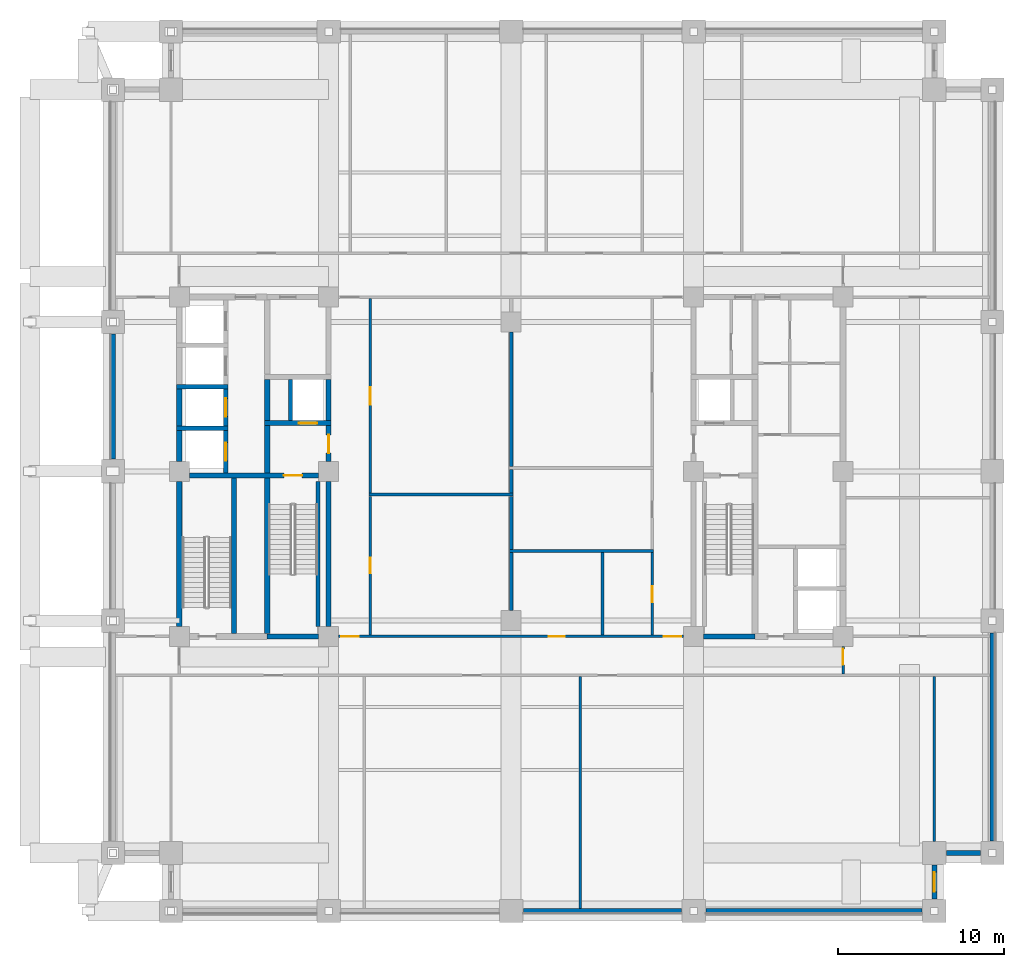
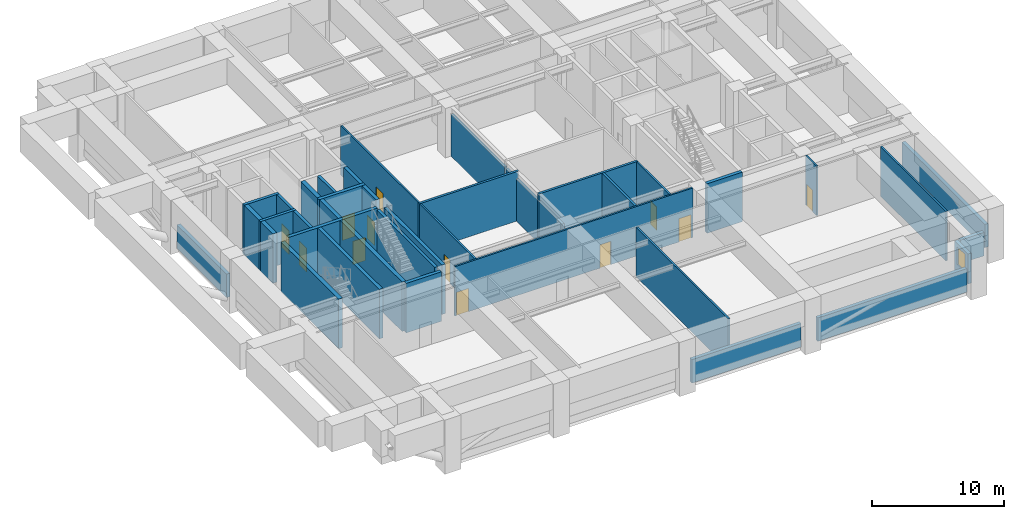
# One storey, part 3 of 11: 40 walls, 12 doors, 1 window, 13 openings.
"""IFC4 building model written with IfcOpenShell, lengths in metres."""

from ifc_helpers import new_model, si_unit, direction, frame, frame_2d, origin, place, context, subcontext, project, spatial, rectangle, extrude, material, layer, layer_set, type_object, element, fill, save


model = new_model("IFC4")

# Units and contexts
model_context = context("Model", 3, precision=1e-05, world=origin(), true_north=direction((0.0, 1.0)))
body_context = subcontext(model_context, "Body", "Model", "MODEL_VIEW")
ifc_project = project(units=[si_unit("LENGTHUNIT", "METRE"), si_unit("AREAUNIT", "SQUARE_METRE"), si_unit("VOLUMEUNIT", "CUBIC_METRE"), si_unit("PLANEANGLEUNIT", "RADIAN"), si_unit("MASSUNIT", "GRAM", prefix="KILO")], contexts=[model_context])

# Site, building, storey
site_placement = place(None, origin())
site = spatial("IfcSite", under=ifc_project, at=site_placement, CompositionType="ELEMENT")
building_placement = place(site_placement, origin())
building = spatial("IfcBuilding", under=site, at=building_placement, Name="Zulmaris Gate Convention Tower", CompositionType="ELEMENT")
storey_placement = place(building_placement, frame((0.0, 0.0, 52.18994140625)))
storey = spatial("IfcBuildingStorey", under=building, at=storey_placement, Name="L12", CompositionType="ELEMENT", Elevation=52.18994140625)

# Walls
ifc_material_1 = material(Name="Concrete C50/60", Category="concrete")
ifc_layer_1 = layer(ifc_material_1, 0.25, Name="Concrete C50/60")
ifc_layer_set_1 = layer_set([ifc_layer_1], Name="Concrete C50/60")
wall_type_1 = type_object("IfcWallType", Name="CORE-250", PredefinedType="SOLIDWALL", material=ifc_layer_set_1)
for number, where, z_axis, x_axis, name in (
    (1, (-20.175048828125, 2.60009765625, 0.0), (0.0, 0.0, 1.0), (1.0, 0.0, 0.0), "WL-L12-009"),
    (2, (-20.175048828125, 5.10009765625, 0.0), (0.0, 0.0, 1.0), (1.0, 0.0, 0.0), "WL-L12-012"),
):
    element("IfcWall", number, at=place(storey_placement, frame(where, z_axis=z_axis, x_axis=x_axis)), inside=storey, type_object=wall_type_1, Name=name, PredefinedType="SOLIDWALL", context=body_context, shape_type="SweptSolid", body=[
        extrude(rectangle(XDim=3.10009765625, YDim=0.25, at=frame_2d((1.550048828125, 0.0))), origin(), (0.0, 0.0, 1.0), 4.574951171875),
    ])

# Wall, opening, door
wall_1_placement = place(storey_placement, frame((-17.199951171875, -0.097900390625, 0.0), z_axis=(0.0, 0.0, 1.0), x_axis=(0.0, 1.0, 0.0)))
wall_1 = element("IfcWall", 3, at=wall_1_placement, inside=storey, type_object=wall_type_1, Name="WL-L12-040", PredefinedType="SOLIDWALL", context=body_context, shape_type="SweptSolid", body=[
    extrude(rectangle(XDim=2.57080078125, YDim=0.25, at=frame_2d((1.285400390625, 0.0))), origin(), (0.0, 0.0, 1.0), 4.574951171875),
])
opening_1_placement = place(wall_1_placement, frame((0.722900390625, 0.0, 0.0)))
opening_1 = element("IfcOpeningElement", 4, at=opening_1_placement, cuts=wall_1, Name="Opening D-06", PredefinedType="OPENING", context=body_context, shape_type="SweptSolid", body=[
    extrude(rectangle(XDim=1.10009765625, YDim=2.199951171875, at=frame_2d((0.550048828125, 1.10009765625))), frame((0.0, 0.135009765625, 0.0), z_axis=(0.0, -1.0, 0.0), x_axis=(1.0, 0.0, 0.0)), (0.0, 0.0, 1.0), 0.27001953125),
])
ifc_material_2 = material(Name="Brushed Stainless Steel", Category="steel")
door_type_1 = type_object("IfcDoorType", Name="LD-1100", OperationType="NOTDEFINED", PredefinedType="DOOR", material=ifc_material_2)
door_1_placement = place(opening_1_placement, origin())
door_1 = element("IfcDoor", 5, at=door_1_placement, inside=storey, type_object=door_type_1, Name="L12 Lift Landing Door LP-01 12", OperationType="SLIDING_TO_LEFT", OverallHeight=2.199951171875, OverallWidth=1.10009765625, PredefinedType="DOOR", context=body_context, shape_type="SweptSolid", body=[
    extrude(rectangle(XDim=1.10009765625, YDim=2.199951171875, at=frame_2d((0.550048828125, 1.10009765625))), frame((0.0, 0.02490234375, 0.0), z_axis=(0.0, -1.0, 0.0), x_axis=(1.0, 0.0, 0.0)), (0.0, 0.0, 1.0), 0.050048828125),
])
fill(opening_1, door_1)

wall_2_placement = place(storey_placement, frame((-17.199951171875, 2.72705078125, 0.0), z_axis=(0.0, 0.0, 1.0), x_axis=(0.0, 1.0, 0.0)))
wall_2 = element("IfcWall", 6, at=wall_2_placement, inside=storey, type_object=wall_type_1, Name="WL-L12-041", PredefinedType="SOLIDWALL", context=body_context, shape_type="SweptSolid", body=[
    extrude(rectangle(XDim=2.245849609375, YDim=0.25, at=frame_2d((1.123046875, 0.0))), origin(), (0.0, 0.0, 1.0), 4.574951171875),
])
opening_2_placement = place(wall_2_placement, frame((0.572998046875, 0.0, 0.0)))
opening_2 = element("IfcOpeningElement", 7, at=opening_2_placement, cuts=wall_2, Name="Opening D-06", PredefinedType="OPENING", context=body_context, shape_type="SweptSolid", body=[
    extrude(rectangle(XDim=1.10009765625, YDim=2.199951171875, at=frame_2d((0.550048828125, 1.10009765625))), frame((0.0, 0.135009765625, 0.0), z_axis=(0.0, -1.0, 0.0), x_axis=(1.0, 0.0, 0.0)), (0.0, 0.0, 1.0), 0.27001953125),
])
door_2_placement = place(opening_2_placement, origin())
door_2 = element("IfcDoor", 8, at=door_2_placement, inside=storey, type_object=door_type_1, Name="L12 Lift Landing Door LP-02 13", OperationType="SLIDING_TO_LEFT", OverallHeight=2.199951171875, OverallWidth=1.10009765625, PredefinedType="DOOR", context=body_context, shape_type="SweptSolid", body=[
    extrude(rectangle(XDim=1.10009765625, YDim=2.199951171875, at=frame_2d((0.550048828125, 1.10009765625))), frame((0.0, 0.02490234375, 0.0), z_axis=(0.0, -1.0, 0.0), x_axis=(1.0, 0.0, 0.0)), (0.0, 0.0, 1.0), 0.050048828125),
])
fill(opening_2, door_2)

# Walls
wall_3_placement = place(storey_placement, frame((-13.300048828125, 3.052001953125, 0.0), z_axis=(0.0, 0.0, 1.0), x_axis=(0.0, 1.0, 0.0)))
element("IfcWall", 9, at=wall_3_placement, inside=storey, type_object=wall_type_1, Name="WL-L12-049", PredefinedType="SOLIDWALL", context=body_context, shape_type="SweptSolid", body=[
    extrude(rectangle(XDim=2.49609375, YDim=0.25, at=frame_2d((1.248046875, 0.0))), origin(), (0.0, 0.0, 1.0), 4.574951171875),
])
wall_4_placement = place(storey_placement, frame((-11.64990234375, -9.345947265625, 0.0), z_axis=(0.0, 0.0, 1.0), x_axis=(0.0, 1.0, 0.0)))
element("IfcWall", 10, at=wall_4_placement, inside=storey, type_object=wall_type_1, Name="WL-L12-050", PredefinedType="SOLIDWALL", context=body_context, shape_type="SweptSolid", body=[
    extrude(rectangle(XDim=8.741943359375, YDim=0.25, at=frame_2d((4.37109375, 0.0))), origin(), (0.0, 0.0, 1.0), 4.574951171875),
])
ifc_layer_2 = layer(ifc_material_1, 0.300048828125, Name="Concrete C50/60")
ifc_layer_set_2 = layer_set([ifc_layer_2], Name="Concrete C50/60")
wall_type_2 = type_object("IfcWallType", Name="CORE-300", PredefinedType="SHEAR", material=ifc_layer_set_2)
for number, where, z_axis, x_axis, name in (
    (11, (-14.699951171875, -9.949951171875, 0.0), (0.0, 0.0, 1.0), (1.0, 0.0, 0.0), "WL-L12-002"),
    (12, (11.60400390625, -9.949951171875, 0.0), (0.0, 0.0, 1.0), (1.0, 0.0, 0.0), "WL-L12-003"),
):
    element("IfcWall", number, at=place(storey_placement, frame(where, z_axis=z_axis, x_axis=x_axis)), inside=storey, type_object=wall_type_2, Name=name, PredefinedType="SHEAR", context=body_context, shape_type="SweptSolid", body=[
        extrude(rectangle(XDim=3.095947265625, YDim=0.300048828125, at=frame_2d((1.5478515625, 0.0))), origin(), (0.0, 0.0, 1.0), 4.574951171875),
    ])

# Wall, opening, door
wall_5_placement = place(storey_placement, frame((-19.39599609375, -0.25, 0.0), z_axis=(0.0, 0.0, 1.0), x_axis=(1.0, 0.0, 0.0)))
wall_5 = element("IfcWall", 13, at=wall_5_placement, inside=storey, type_object=wall_type_2, Name="WL-L12-007", PredefinedType="SHEAR", context=body_context, shape_type="SweptSolid", body=[
    extrude(rectangle(XDim=7.7919921875, YDim=0.300048828125, at=frame_2d((3.89599609375, 0.0))), origin(), (0.0, 0.0, 1.0), 4.574951171875),
])
opening_3_placement = place(wall_5_placement, frame((5.696044921875, 0.0, 0.0)))
opening_3 = element("IfcOpeningElement", 14, at=opening_3_placement, cuts=wall_5, Name="Opening D-08", PredefinedType="OPENING", context=body_context, shape_type="SweptSolid", body=[
    extrude(rectangle(XDim=1.10009765625, YDim=2.14990234375, at=frame_2d((0.550048828125, 1.074951171875))), frame((0.0, 0.16015625, 0.0), z_axis=(0.0, -1.0, 0.0), x_axis=(1.0, 0.0, 0.0)), (0.0, 0.0, 1.0), 0.320068359375),
])
ifc_material_3 = material(Name="Fire-Rated Steel", Category="steel")
door_type_2 = type_object("IfcDoorType", Name="DR-1100-FD", OperationType="NOTDEFINED", PredefinedType="DOOR", material=ifc_material_3)
door_3_placement = place(opening_3_placement, origin())
door_3 = element("IfcDoor", 15, at=door_3_placement, inside=storey, type_object=door_type_2, Name="L12 Exit Stair ST-1 Door 01", OperationType="SINGLE_SWING_LEFT", OverallHeight=2.14990234375, OverallWidth=1.10009765625, PredefinedType="DOOR", context=body_context, shape_type="SweptSolid", body=[
    extrude(rectangle(XDim=1.10009765625, YDim=2.14990234375, at=frame_2d((0.550048828125, 1.074951171875))), frame((0.0, 0.02490234375, 0.0), z_axis=(0.0, -1.0, 0.0), x_axis=(1.0, 0.0, 0.0)), (0.0, 0.0, 1.0), 0.050048828125),
])
fill(opening_3, door_3)

wall_6_placement = place(storey_placement, frame((-14.875, 2.89990234375, 0.0), z_axis=(0.0, 0.0, 1.0), x_axis=(1.0, 0.0, 0.0)))
wall_6 = element("IfcWall", 16, at=wall_6_placement, inside=storey, type_object=wall_type_2, Name="WL-L12-010", PredefinedType="SHEAR", context=body_context, shape_type="SweptSolid", body=[
    extrude(rectangle(XDim=4.02490234375, YDim=0.300048828125, at=frame_2d((2.012451171875, 0.0))), origin(), (0.0, 0.0, 1.0), 4.574951171875),
])
opening_4_placement = place(wall_6_placement, frame((2.074951171875, 0.0, 0.0)))
opening_4 = element("IfcOpeningElement", 17, at=opening_4_placement, cuts=wall_6, Name="Opening D-06", PredefinedType="OPENING", context=body_context, shape_type="SweptSolid", body=[
    extrude(rectangle(XDim=1.10009765625, YDim=2.199951171875, at=frame_2d((0.550048828125, 1.10009765625))), frame((0.0, 0.16015625, 0.0), z_axis=(0.0, -1.0, 0.0), x_axis=(1.0, 0.0, 0.0)), (0.0, 0.0, 1.0), 0.320068359375),
])
door_4_placement = place(opening_4_placement, origin())
door_4 = element("IfcDoor", 18, at=door_4_placement, inside=storey, type_object=door_type_1, Name="L12 Lift Landing Door LF-01 03", OperationType="SLIDING_TO_LEFT", OverallHeight=2.199951171875, OverallWidth=1.10009765625, PredefinedType="DOOR", context=body_context, shape_type="SweptSolid", body=[
    extrude(rectangle(XDim=1.10009765625, YDim=2.199951171875, at=frame_2d((0.550048828125, 1.10009765625))), frame((0.0, 0.02490234375, 0.0), z_axis=(0.0, -1.0, 0.0), x_axis=(1.0, 0.0, 0.0)), (0.0, 0.0, 1.0), 0.050048828125),
])
fill(opening_4, door_4)

# Walls
wall_7_placement = place(storey_placement, frame((-16.699951171875, -9.77294921875, 0.0), z_axis=(0.0, 0.0, 1.0), x_axis=(0.0, 1.0, 0.0)))
element("IfcWall", 19, at=wall_7_placement, inside=storey, type_object=wall_type_2, Name="WL-L12-044", PredefinedType="SHEAR", context=body_context, shape_type="SweptSolid", body=[
    extrude(rectangle(XDim=9.370849609375, YDim=0.300048828125, at=frame_2d((4.685546875, 0.0))), origin(), (0.0, 0.0, 1.0), 4.574951171875),
])
wall_8_placement = place(storey_placement, frame((-11.0, -9.345947265625, 0.0), z_axis=(0.0, 0.0, 1.0), x_axis=(0.0, 1.0, 0.0)))
element("IfcWall", 20, at=wall_8_placement, inside=storey, type_object=wall_type_2, Name="WL-L12-051", PredefinedType="SHEAR", context=body_context, shape_type="SweptSolid", body=[
    extrude(rectangle(XDim=8.741943359375, YDim=0.300048828125, at=frame_2d((4.37109375, 0.0))), origin(), (0.0, 0.0, 1.0), 4.574951171875),
])

# Wall, opening, door
wall_9_placement = place(storey_placement, frame((-11.0, 0.60400390625, 0.0), z_axis=(0.0, 0.0, 1.0), x_axis=(0.0, 1.0, 0.0)))
wall_9 = element("IfcWall", 21, at=wall_9_placement, inside=storey, type_object=wall_type_2, Name="WL-L12-052", PredefinedType="SHEAR", context=body_context, shape_type="SweptSolid", body=[
    extrude(rectangle(XDim=2.14404296875, YDim=0.300048828125, at=frame_2d((1.072021484375, 0.0))), origin(), (0.0, 0.0, 1.0), 4.574951171875),
])
opening_5_placement = place(wall_9_placement, frame((0.49609375, 0.0, 0.0)))
opening_5 = element("IfcOpeningElement", 22, at=opening_5_placement, cuts=wall_9, Name="Opening D-08", PredefinedType="OPENING", context=body_context, shape_type="SweptSolid", body=[
    extrude(rectangle(XDim=1.10009765625, YDim=2.14990234375, at=frame_2d((0.550048828125, 1.074951171875))), frame((0.0, 0.16015625, 0.0), z_axis=(0.0, -1.0, 0.0), x_axis=(1.0, 0.0, 0.0)), (0.0, 0.0, 1.0), 0.320068359375),
])
door_5_placement = place(opening_5_placement, origin())
door_5 = element("IfcDoor", 23, at=door_5_placement, inside=storey, type_object=door_type_2, Name="L12 West Firefighting Lobby Door 02", OperationType="SINGLE_SWING_RIGHT", OverallHeight=2.14990234375, OverallWidth=1.10009765625, PredefinedType="DOOR", context=body_context, shape_type="SweptSolid", body=[
    extrude(rectangle(XDim=1.10009765625, YDim=2.14990234375, at=frame_2d((0.550048828125, 1.074951171875))), frame((0.0, 0.02490234375, 0.0), z_axis=(0.0, -1.0, 0.0), x_axis=(1.0, 0.0, 0.0)), (0.0, 0.0, 1.0), 0.050048828125),
])
fill(opening_5, door_5)

# Walls
wall_10_placement = place(storey_placement, frame((-11.0, 3.052001953125, 0.0), z_axis=(0.0, 0.0, 1.0), x_axis=(0.0, 1.0, 0.0)))
element("IfcWall", 24, at=wall_10_placement, inside=storey, type_object=wall_type_2, Name="WL-L12-053", PredefinedType="SHEAR", context=body_context, shape_type="SweptSolid", body=[
    extrude(rectangle(XDim=2.49609375, YDim=0.300048828125, at=frame_2d((1.248046875, 0.0))), origin(), (0.0, 0.0, 1.0), 4.574951171875),
])
ifc_material_4 = material(Name="Concrete C55/67", Category="concrete")
ifc_layer_3 = layer(ifc_material_4, 0.35009765625, Name="Concrete C55/67")
ifc_layer_set_3 = layer_set([ifc_layer_3], Name="Concrete C55/67")
wall_type_3 = type_object("IfcWallType", Name="CORE-350", PredefinedType="SHEAR", material=ifc_layer_set_3)
wall_11_placement = place(storey_placement, frame((-20.0, -9.345947265625, 0.0), z_axis=(0.0, 0.0, 1.0), x_axis=(0.0, 1.0, 0.0)))
element("IfcWall", 25, at=wall_11_placement, inside=storey, type_object=wall_type_3, Name="WL-L12-035", PredefinedType="SHEAR", context=body_context, shape_type="SweptSolid", body=[
    extrude(rectangle(XDim=8.741943359375, YDim=0.35009765625, at=frame_2d((4.37109375, 0.0))), origin(), (0.0, 0.0, 1.0), 4.574951171875),
])
wall_12_placement = place(storey_placement, frame((-20.0, 0.60400390625, 0.0), z_axis=(0.0, 0.0, 1.0), x_axis=(0.0, 1.0, 0.0)))
element("IfcWall", 26, at=wall_12_placement, inside=storey, type_object=wall_type_3, Name="WL-L12-036", PredefinedType="SHEAR", context=body_context, shape_type="SweptSolid", body=[
    extrude(rectangle(XDim=1.868896484375, YDim=0.35009765625, at=frame_2d((0.9345703125, 0.0))), origin(), (0.0, 0.0, 1.0), 4.574951171875),
])
wall_13_placement = place(storey_placement, frame((-20.0, 2.72705078125, 0.0), z_axis=(0.0, 0.0, 1.0), x_axis=(0.0, 1.0, 0.0)))
element("IfcWall", 27, at=wall_13_placement, inside=storey, type_object=wall_type_3, Name="WL-L12-037", PredefinedType="SHEAR", context=body_context, shape_type="SweptSolid", body=[
    extrude(rectangle(XDim=2.245849609375, YDim=0.35009765625, at=frame_2d((1.123046875, 0.0))), origin(), (0.0, 0.0, 1.0), 4.574951171875),
])
wall_14_placement = place(storey_placement, frame((-14.699951171875, -9.77294921875, 0.0), z_axis=(0.0, 0.0, 1.0), x_axis=(0.0, 1.0, 0.0)))
element("IfcWall", 28, at=wall_14_placement, inside=storey, type_object=wall_type_3, Name="WL-L12-045", PredefinedType="SHEAR", context=body_context, shape_type="SweptSolid", body=[
    extrude(rectangle(XDim=9.370849609375, YDim=0.35009765625, at=frame_2d((4.685546875, 0.0))), origin(), (0.0, 0.0, 1.0), 4.574951171875),
])
wall_15_placement = place(storey_placement, frame((-14.699951171875, -0.097900390625, 0.0), z_axis=(0.0, 0.0, 1.0), x_axis=(0.0, 1.0, 0.0)))
element("IfcWall", 29, at=wall_15_placement, inside=storey, type_object=wall_type_3, Name="WL-L12-046", PredefinedType="SHEAR", context=body_context, shape_type="SweptSolid", body=[
    extrude(rectangle(XDim=2.845947265625, YDim=0.35009765625, at=frame_2d((1.4228515625, 0.0))), origin(), (0.0, 0.0, 1.0), 4.574951171875),
])
wall_16_placement = place(storey_placement, frame((-14.699951171875, 3.052001953125, 0.0), z_axis=(0.0, 0.0, 1.0), x_axis=(0.0, 1.0, 0.0)))
element("IfcWall", 30, at=wall_16_placement, inside=storey, type_object=wall_type_3, Name="WL-L12-047", PredefinedType="SHEAR", context=body_context, shape_type="SweptSolid", body=[
    extrude(rectangle(XDim=2.49609375, YDim=0.35009765625, at=frame_2d((1.248046875, 0.0))), origin(), (0.0, 0.0, 1.0), 4.574951171875),
])

# Wall, openings, doors
ifc_material_5 = material(Name="Gypsum Metal Stud Partition")
ifc_layer_4 = layer(ifc_material_5, 0.14990234375, Name="Gypsum Metal Stud Partition")
ifc_layer_set_4 = layer_set([ifc_layer_4], Name="Gypsum Metal Stud Partition")
wall_type_4 = type_object("IfcWallType", Name="PART-150", PredefinedType="PARTITIONING", material=ifc_layer_set_4)
wall_17_placement = place(storey_placement, frame((-10.39404296875, -9.949951171875, 0.0), z_axis=(0.0, 0.0, 1.0), x_axis=(1.0, 0.0, 0.0)))
wall_17 = element("IfcWall", 31, at=wall_17_placement, inside=storey, type_object=wall_type_4, Name="WL-L12-022", PredefinedType="PARTITIONING", context=body_context, shape_type="SweptSolid", body=[
    extrude(rectangle(XDim=20.7880859375, YDim=0.14990234375, at=frame_2d((10.39404296875, 0.0))), origin(), (0.0, 0.0, 1.0), 4.574951171875),
])
opening_6_placement = place(wall_17_placement, frame((0.14990234375, 0.0, 0.0)))
opening_6 = element("IfcOpeningElement", 32, at=opening_6_placement, cuts=wall_17, Name="Opening D-09", PredefinedType="OPENING", context=body_context, shape_type="SweptSolid", body=[
    extrude(rectangle(XDim=1.050048828125, YDim=2.14990234375, at=frame_2d((0.52490234375, 1.074951171875))), frame((0.0, 0.0849609375, 0.0), z_axis=(0.0, -1.0, 0.0), x_axis=(1.0, 0.0, 0.0)), (0.0, 0.0, 1.0), 0.169921875),
])
opening_7_placement = place(wall_17_placement, frame((19.587890625, 0.0, 0.0)))
opening_7 = element("IfcOpeningElement", 33, at=opening_7_placement, cuts=wall_17, Name="Opening D-09", PredefinedType="OPENING", context=body_context, shape_type="SweptSolid", body=[
    extrude(rectangle(XDim=1.050048828125, YDim=2.14990234375, at=frame_2d((0.52490234375, 1.074951171875))), frame((0.0, 0.0849609375, 0.0), z_axis=(0.0, -1.0, 0.0), x_axis=(1.0, 0.0, 0.0)), (0.0, 0.0, 1.0), 0.169921875),
])
opening_8_placement = place(wall_17_placement, frame((12.6689453125, 0.0, 0.0)))
opening_8 = element("IfcOpeningElement", 34, at=opening_8_placement, cuts=wall_17, Name="Opening D-11", PredefinedType="OPENING", context=body_context, shape_type="SweptSolid", body=[
    extrude(rectangle(XDim=0.949951171875, YDim=2.14990234375, at=frame_2d((0.47509765625, 1.074951171875))), frame((0.0, 0.0849609375, 0.0), z_axis=(0.0, -1.0, 0.0), x_axis=(1.0, 0.0, 0.0)), (0.0, 0.0, 1.0), 0.169921875),
])
door_type_3 = type_object("IfcDoorType", Name="DR-1050-FD", OperationType="NOTDEFINED", PredefinedType="DOOR", material=ifc_material_3)
door_6_placement = place(opening_6_placement, origin())
door_6 = element("IfcDoor", 35, at=door_6_placement, inside=storey, type_object=door_type_3, Name="L12 SW Spine Link Door 23", OperationType="SINGLE_SWING_LEFT", OverallHeight=2.14990234375, OverallWidth=1.050048828125, PredefinedType="DOOR", context=body_context, shape_type="SweptSolid", body=[
    extrude(rectangle(XDim=1.050048828125, YDim=2.14990234375, at=frame_2d((0.52490234375, 1.074951171875))), frame((0.0, 0.02490234375, 0.0), z_axis=(0.0, -1.0, 0.0), x_axis=(1.0, 0.0, 0.0)), (0.0, 0.0, 1.0), 0.050048828125),
])
fill(opening_6, door_6)
door_7_placement = place(opening_7_placement, origin())
door_7 = element("IfcDoor", 36, at=door_7_placement, inside=storey, type_object=door_type_3, Name="L12 SE Spine Link Door 25", OperationType="SINGLE_SWING_LEFT", OverallHeight=2.14990234375, OverallWidth=1.050048828125, PredefinedType="DOOR", context=body_context, shape_type="SweptSolid", body=[
    extrude(rectangle(XDim=1.050048828125, YDim=2.14990234375, at=frame_2d((0.52490234375, 1.074951171875))), frame((0.0, 0.02490234375, 0.0), z_axis=(0.0, -1.0, 0.0), x_axis=(1.0, 0.0, 0.0)), (0.0, 0.0, 1.0), 0.050048828125),
])
fill(opening_7, door_7)
ifc_material_6 = material(Name="Fire-Rated Timber", Category="wood")
door_type_4 = type_object("IfcDoorType", Name="DR-950-FD", OperationType="NOTDEFINED", PredefinedType="DOOR", material=ifc_material_6)
door_8_placement = place(opening_8_placement, origin())
door_8 = element("IfcDoor", 37, at=door_8_placement, inside=storey, type_object=door_type_4, Name="L12 Print Room Door 40", OperationType="SINGLE_SWING_RIGHT", OverallHeight=2.14990234375, OverallWidth=0.949951171875, PredefinedType="DOOR", context=body_context, shape_type="SweptSolid", body=[
    extrude(rectangle(XDim=0.949951171875, YDim=2.14990234375, at=frame_2d((0.47509765625, 1.074951171875))), frame((0.0, 0.02490234375, 0.0), z_axis=(0.0, -1.0, 0.0), x_axis=(1.0, 0.0, 0.0)), (0.0, 0.0, 1.0), 0.050048828125),
])
fill(opening_8, door_8)

# Wall, opening, door
wall_18_placement = place(storey_placement, frame((-8.5, -9.8720703125, 0.0), z_axis=(0.0, 0.0, 1.0), x_axis=(0.0, 1.0, 0.0)))
wall_18 = element("IfcWall", 38, at=wall_18_placement, inside=storey, type_object=wall_type_4, Name="WL-L12-076", PredefinedType="PARTITIONING", context=body_context, shape_type="SweptSolid", body=[
    extrude(rectangle(XDim=8.369140625, YDim=0.14990234375, at=frame_2d((4.1845703125, 0.0))), origin(), (0.0, 0.0, 1.0), 4.574951171875),
])
opening_9_placement = place(wall_18_placement, frame((3.72705078125, 0.0, 0.0)))
opening_9 = element("IfcOpeningElement", 39, at=opening_9_placement, cuts=wall_18, Name="Opening D-11", PredefinedType="OPENING", context=body_context, shape_type="SweptSolid", body=[
    extrude(rectangle(XDim=0.949951171875, YDim=2.14990234375, at=frame_2d((0.47509765625, 1.074951171875))), frame((0.0, 0.0849609375, 0.0), z_axis=(0.0, -1.0, 0.0), x_axis=(1.0, 0.0, 0.0)), (0.0, 0.0, 1.0), 0.169921875),
])
door_9_placement = place(opening_9_placement, origin())
door_9 = element("IfcDoor", 40, at=door_9_placement, inside=storey, type_object=door_type_4, Name="L12 Wellness Pantry Door 36", OperationType="SINGLE_SWING_RIGHT", OverallHeight=2.14990234375, OverallWidth=0.949951171875, PredefinedType="DOOR", context=body_context, shape_type="SweptSolid", body=[
    extrude(rectangle(XDim=0.949951171875, YDim=2.14990234375, at=frame_2d((0.47509765625, 1.074951171875))), frame((0.0, 0.02490234375, 0.0), z_axis=(0.0, -1.0, 0.0), x_axis=(1.0, 0.0, 0.0)), (0.0, 0.0, 1.0), 0.050048828125),
])
fill(opening_9, door_9)

wall_19_placement = place(storey_placement, frame((-8.5, -1.297119140625, 0.0), z_axis=(0.0, 0.0, 1.0), x_axis=(0.0, 1.0, 0.0)))
wall_19 = element("IfcWall", 41, at=wall_19_placement, inside=storey, type_object=wall_type_4, Name="WL-L12-077", PredefinedType="PARTITIONING", context=body_context, shape_type="SweptSolid", body=[
    extrude(rectangle(XDim=11.71923828125, YDim=0.14990234375, at=frame_2d((5.859619140625, 0.0))), origin(), (0.0, 0.0, 1.0), 4.574951171875),
])
opening_10_placement = place(wall_19_placement, frame((5.322021484375, 0.0, 0.0)))
opening_10 = element("IfcOpeningElement", 42, at=opening_10_placement, cuts=wall_19, Name="Opening D-09", PredefinedType="OPENING", context=body_context, shape_type="SweptSolid", body=[
    extrude(rectangle(XDim=1.050048828125, YDim=2.14990234375, at=frame_2d((0.52490234375, 1.074951171875))), frame((0.0, 0.0849609375, 0.0), z_axis=(0.0, -1.0, 0.0), x_axis=(1.0, 0.0, 0.0)), (0.0, 0.0, 1.0), 0.169921875),
])
door_10_placement = place(opening_10_placement, origin())
door_10 = element("IfcDoor", 43, at=door_10_placement, inside=storey, type_object=door_type_3, Name="L12 Boardroom Door 35", OperationType="SINGLE_SWING_LEFT", OverallHeight=2.14990234375, OverallWidth=1.050048828125, PredefinedType="DOOR", context=body_context, shape_type="SweptSolid", body=[
    extrude(rectangle(XDim=1.050048828125, YDim=2.14990234375, at=frame_2d((0.52490234375, 1.074951171875))), frame((0.0, 0.02490234375, 0.0), z_axis=(0.0, -1.0, 0.0), x_axis=(1.0, 0.0, 0.0)), (0.0, 0.0, 1.0), 0.050048828125),
])
fill(opening_10, door_10)

# Wall
wall_20_placement = place(storey_placement, frame((4.14990234375, -26.3349609375, 0.0), z_axis=(0.0, 0.0, 1.0), x_axis=(0.0, 1.0, 0.0)))
element("IfcWall", 44, at=wall_20_placement, inside=storey, type_object=wall_type_4, Name="WL-L12-084", PredefinedType="PARTITIONING", context=body_context, shape_type="SweptSolid", body=[
    extrude(rectangle(XDim=13.95703125, YDim=0.14990234375, at=frame_2d((6.978515625, 0.0))), origin(), (0.0, 0.0, 1.0), 4.574951171875),
])

# Wall, opening, door
wall_21_placement = place(storey_placement, frame((8.5, -9.8720703125, 0.0), z_axis=(0.0, 0.0, 1.0), x_axis=(0.0, 1.0, 0.0)))
wall_21 = element("IfcWall", 45, at=wall_21_placement, inside=storey, type_object=wall_type_4, Name="WL-L12-087", PredefinedType="PARTITIONING", context=body_context, shape_type="SweptSolid", body=[
    extrude(rectangle(XDim=4.968994140625, YDim=0.14990234375, at=frame_2d((2.484375, 0.0))), origin(), (0.0, 0.0, 1.0), 4.574951171875),
])
opening_11_placement = place(wall_21_placement, frame((1.9970703125, 0.0, 0.0)))
opening_11 = element("IfcOpeningElement", 46, at=opening_11_placement, cuts=wall_21, Name="Opening D-11", PredefinedType="OPENING", context=body_context, shape_type="SweptSolid", body=[
    extrude(rectangle(XDim=0.949951171875, YDim=2.14990234375, at=frame_2d((0.47509765625, 1.074951171875))), frame((0.0, 0.0849609375, 0.0), z_axis=(0.0, -1.0, 0.0), x_axis=(1.0, 0.0, 0.0)), (0.0, 0.0, 1.0), 0.169921875),
])
door_11_placement = place(opening_11_placement, origin())
door_11 = element("IfcDoor", 47, at=door_11_placement, inside=storey, type_object=door_type_4, Name="L12 Accessible WC Door 39", OperationType="SINGLE_SWING_LEFT", OverallHeight=2.14990234375, OverallWidth=0.949951171875, PredefinedType="DOOR", context=body_context, shape_type="SweptSolid", body=[
    extrude(rectangle(XDim=0.949951171875, YDim=2.14990234375, at=frame_2d((0.47509765625, 1.074951171875))), frame((0.0, 0.02490234375, 0.0), z_axis=(0.0, -1.0, 0.0), x_axis=(1.0, 0.0, 0.0)), (0.0, 0.0, 1.0), 0.050048828125),
])
fill(opening_11, door_11)

wall_22_placement = place(storey_placement, frame((20.0, -12.221923828125, 0.0), z_axis=(0.0, 0.0, 1.0), x_axis=(0.0, 1.0, 0.0)))
wall_22 = element("IfcWall", 48, at=wall_22_placement, inside=storey, type_object=wall_type_4, Name="WL-L12-094", PredefinedType="PARTITIONING", context=body_context, shape_type="SweptSolid", body=[
    extrude(rectangle(XDim=1.666015625, YDim=0.14990234375, at=frame_2d((0.8330078125, 0.0))), origin(), (0.0, 0.0, 1.0), 4.574951171875),
])
opening_12_placement = place(wall_22_placement, frame((0.56591796875, 0.0, 0.0)))
opening_12 = element("IfcOpeningElement", 49, at=opening_12_placement, cuts=wall_22, Name="Opening D-25", PredefinedType="OPENING", context=body_context, shape_type="SweptSolid", body=[
    extrude(rectangle(XDim=0.949951171875, YDim=2.02001953125, at=frame_2d((0.47509765625, 1.010009765625))), frame((0.0, 0.0849609375, 0.0), z_axis=(0.0, -1.0, 0.0), x_axis=(1.0, 0.0, 0.0)), (0.0, 0.0, 1.0), 0.169921875),
])
door_type_5 = type_object("IfcDoorType", Name="DR-950-LOW-FD", OperationType="NOTDEFINED", PredefinedType="DOOR", material=ifc_material_3)
door_12_placement = place(opening_12_placement, origin())
door_12 = element("IfcDoor", 50, at=door_12_placement, inside=storey, type_object=door_type_5, Name="L12 SE Spur Door 46", OperationType="SINGLE_SWING_RIGHT", OverallHeight=2.02001953125, OverallWidth=0.949951171875, PredefinedType="DOOR", context=body_context, shape_type="SweptSolid", body=[
    extrude(rectangle(XDim=0.949951171875, YDim=2.02001953125, at=frame_2d((0.47509765625, 1.010009765625))), frame((0.0, 0.02490234375, 0.0), z_axis=(0.0, -1.0, 0.0), x_axis=(1.0, 0.0, 0.0)), (0.0, 0.0, 1.0), 0.050048828125),
])
fill(opening_12, door_12)

# Walls
wall_23_placement = place(storey_placement, frame((25.5, -22.2939453125, 0.0), z_axis=(0.0, 0.0, 1.0), x_axis=(0.0, 1.0, 0.0)))
element("IfcWall", 51, at=wall_23_placement, inside=storey, type_object=wall_type_4, Name="WL-L12-096", PredefinedType="PARTITIONING", context=body_context, shape_type="SweptSolid", body=[
    extrude(rectangle(XDim=9.916015625, YDim=0.14990234375, at=frame_2d((4.9580078125, 0.0))), origin(), (0.0, 0.0, 1.0), 4.574951171875),
])
ifc_material_7 = material(Name="Autoclaved Aerated Concrete Block and Plasterboard", Category="concrete")
ifc_layer_5 = layer(ifc_material_7, 0.199951171875, Name="Autoclaved Aerated Concrete Block and Plasterboard")
ifc_layer_set_5 = layer_set([ifc_layer_5], Name="Autoclaved Aerated Concrete Block and Plasterboard")
wall_type_5 = type_object("IfcWallType", Name="PART-200", PredefinedType="PARTITIONING", material=ifc_layer_set_5)
for number, where, z_axis, x_axis, name in (
    (52, (-0.10009765625, -4.800048828125, 0.0), (0.0, 0.0, 1.0), (1.0, 0.0, 0.0), "WL-L12-024"),
    (53, (-8.574951171875, -1.39990234375, 0.0), (0.0, 0.0, 1.0), (1.0, 0.0, 0.0), "WL-L12-027"),
):
    element("IfcWall", number, at=place(storey_placement, frame(where, z_axis=z_axis, x_axis=x_axis)), inside=storey, type_object=wall_type_5, Name=name, PredefinedType="PARTITIONING", context=body_context, shape_type="SweptSolid", body=[
        extrude(rectangle(XDim=8.675048828125, YDim=0.199951171875, at=frame_2d((4.33740234375, 0.0))), origin(), (0.0, 0.0, 1.0), 4.574951171875),
    ])
wall_24_placement = place(storey_placement, frame((0.0, -8.39404296875, 0.0), z_axis=(0.0, 0.0, 1.0), x_axis=(0.0, 1.0, 0.0)))
element("IfcWall", 54, at=wall_24_placement, inside=storey, type_object=wall_type_5, Name="WL-L12-079", PredefinedType="PARTITIONING", context=body_context, shape_type="SweptSolid", body=[
    extrude(rectangle(XDim=3.490966796875, YDim=0.199951171875, at=frame_2d((1.74560546875, 0.0))), origin(), (0.0, 0.0, 1.0), 3.9150390625),
])
wall_25_placement = place(storey_placement, frame((0.0, -4.697021484375, 0.0), z_axis=(0.0, 0.0, 1.0), x_axis=(0.0, 1.0, 0.0)))
element("IfcWall", 55, at=wall_25_placement, inside=storey, type_object=wall_type_5, Name="WL-L12-080", PredefinedType="PARTITIONING", context=body_context, shape_type="SweptSolid", body=[
    extrude(rectangle(XDim=3.194091796875, YDim=0.199951171875, at=frame_2d((1.59716796875, 0.0))), origin(), (0.0, 0.0, 1.0), 3.9150390625),
])
wall_26_placement = place(storey_placement, frame((0.0, -1.297119140625, 0.0), z_axis=(0.0, 0.0, 1.0), x_axis=(0.0, 1.0, 0.0)))
element("IfcWall", 56, at=wall_26_placement, inside=storey, type_object=wall_type_5, Name="WL-L12-081", PredefinedType="PARTITIONING", context=body_context, shape_type="SweptSolid", body=[
    extrude(rectangle(XDim=1.39404296875, YDim=0.199951171875, at=frame_2d((0.697021484375, 0.0))), origin(), (0.0, 0.0, 1.0), 3.9150390625),
])
wall_27_placement = place(storey_placement, frame((0.0, 0.302978515625, 0.0), z_axis=(0.0, 0.0, 1.0), x_axis=(0.0, 1.0, 0.0)))
element("IfcWall", 57, at=wall_27_placement, inside=storey, type_object=wall_type_5, Name="WL-L12-082", PredefinedType="PARTITIONING", context=body_context, shape_type="SweptSolid", body=[
    extrude(rectangle(XDim=8.091064453125, YDim=0.199951171875, at=frame_2d((4.04541015625, 0.0))), origin(), (0.0, 0.0, 1.0), 3.9150390625),
])
wall_28_placement = place(storey_placement, frame((5.5, -9.8720703125, 0.0), z_axis=(0.0, 0.0, 1.0), x_axis=(0.0, 1.0, 0.0)))
element("IfcWall", 58, at=wall_28_placement, inside=storey, type_object=wall_type_5, Name="WL-L12-085", PredefinedType="PARTITIONING", context=body_context, shape_type="SweptSolid", body=[
    extrude(rectangle(XDim=4.968994140625, YDim=0.199951171875, at=frame_2d((2.484375, 0.0))), origin(), (0.0, 0.0, 1.0), 4.574951171875),
])

# Wall, opening, window
ifc_material_8 = material(Name="Precast concrete C40/50", Category="concrete")
ifc_layer_6 = layer(ifc_material_8, 0.300048828125, Name="Precast concrete C40/50")
ifc_layer_set_6 = layer_set([ifc_layer_6], Name="Precast concrete C40/50")
wall_type_6 = type_object("IfcWallType", Name="PRECAST-PIER-300", PredefinedType="STANDARD", material=ifc_layer_set_6)
wall_29_placement = place(storey_placement, frame((25.5, -25.77001953125, 0.0), z_axis=(0.0, 0.0, 1.0), x_axis=(0.0, 1.0, 0.0)))
wall_29 = element("IfcWall", 59, at=wall_29_placement, inside=storey, type_object=wall_type_6, Name="EW-L12-NOTCH-SE1_0", PredefinedType="STANDARD", context=body_context, shape_type="SweptSolid", body=[
    extrude(rectangle(XDim=2.0400390625, YDim=0.300048828125, at=frame_2d((1.02001953125, 0.0))), origin(), (0.0, 0.0, 1.0), 2.766845703125),
])
opening_13_placement = place(wall_29_placement, frame((0.419921875, 0.0, 0.820068359375)))
opening_13 = element("IfcOpeningElement", 60, at=opening_13_placement, cuts=wall_29, Name="Opening W-04", PredefinedType="OPENING", context=body_context, shape_type="SweptSolid", body=[
    extrude(rectangle(XDim=1.199951171875, YDim=1.64990234375, at=frame_2d((0.60009765625, 0.824951171875))), frame((0.0, 0.16015625, 0.0), z_axis=(0.0, -1.0, 0.0), x_axis=(1.0, 0.0, 0.0)), (0.0, 0.0, 1.0), 0.320068359375),
])
ifc_material_9 = material(Name="Low-E Laminated Double Glazing in Aluminium Frame", Category="aluminium")
window_type = type_object("IfcWindowType", Name="WIN-1200x2100", PartitioningType="SINGLE_PANEL", PredefinedType="WINDOW", material=ifc_material_9)
window_placement = place(opening_13_placement, origin())
window = element("IfcWindow", 61, at=window_placement, inside=storey, type_object=window_type, Name="WN-EW-L12-NOTCH-SE1_0", OverallHeight=1.64990234375, OverallWidth=1.199951171875, PartitioningType="SINGLE_PANEL", PredefinedType="WINDOW", context=body_context, shape_type="SweptSolid", body=[
    extrude(rectangle(XDim=1.199951171875, YDim=1.64990234375, at=frame_2d((0.60009765625, 0.824951171875))), frame((0.0, 0.030029296875, 0.0), z_axis=(0.0, -1.0, 0.0), x_axis=(1.0, 0.0, 0.0)), (0.0, 0.0, 1.0), 0.06005859375),
])
fill(opening_13, window)

# Walls
wall_30_placement = place(storey_placement, frame((26.22998046875, -23.0, 0.0), z_axis=(0.0, 0.0, 1.0), x_axis=(1.0, 0.0, 0.0)))
element("IfcWall", 62, at=wall_30_placement, inside=storey, type_object=wall_type_6, Name="EW-L12-NOTCH-SE2_0", PredefinedType="STANDARD", context=body_context, shape_type="SweptSolid", body=[
    extrude(rectangle(XDim=2.0400390625, YDim=0.300048828125, at=frame_2d((1.02001953125, 0.0))), origin(), (0.0, 0.0, 1.0), 2.1669921875),
])
wall_31_placement = place(storey_placement, frame((0.72998046875, -26.5, 0.0), z_axis=(0.0, 0.0, 1.0), x_axis=(1.0, 0.0, 0.0)))
element("IfcWall", 63, at=wall_31_placement, inside=storey, type_object=wall_type_6, Name="EW-L12-S-2_0", PredefinedType="STANDARD", context=body_context, shape_type="SweptSolid", body=[
    extrude(rectangle(XDim=9.5400390625, YDim=0.300048828125, at=frame_2d((4.77001953125, 0.0))), origin(), (0.0, 0.0, 1.0), 2.1669921875),
])
wall_32_placement = place(storey_placement, frame((11.72998046875, -26.5, 0.0), z_axis=(0.0, 0.0, 1.0), x_axis=(1.0, 0.0, 0.0)))
element("IfcWall", 64, at=wall_32_placement, inside=storey, type_object=wall_type_6, Name="EW-L12-S-3_0", PredefinedType="STANDARD", context=body_context, shape_type="SweptSolid", body=[
    extrude(rectangle(XDim=13.0400390625, YDim=0.300048828125, at=frame_2d((6.52001953125, 0.0))), origin(), (0.0, 0.0, 1.0), 2.1669921875),
])
wall_33_placement = place(storey_placement, frame((29.0, -22.27001953125, 0.0), z_axis=(0.0, 0.0, 1.0), x_axis=(0.0, 1.0, 0.0)))
element("IfcWall", 65, at=wall_33_placement, inside=storey, type_object=wall_type_6, Name="EW-L12-E-0_0", PredefinedType="STANDARD", context=body_context, shape_type="SweptSolid", body=[
    extrude(rectangle(XDim=12.5400390625, YDim=0.300048828125, at=frame_2d((6.27001953125, 0.0))), origin(), (0.0, 0.0, 1.0), 2.1669921875),
])
wall_34_placement = place(storey_placement, frame((-24.0, 8.27001953125, 0.0), z_axis=(0.0, 0.0, 1.0), x_axis=(0.0, -1.0, 0.0)))
element("IfcWall", 66, at=wall_34_placement, inside=storey, type_object=wall_type_6, Name="EW-L12-W-2_0", PredefinedType="STANDARD", context=body_context, shape_type="SweptSolid", body=[
    extrude(rectangle(XDim=7.5400390625, YDim=0.300048828125, at=frame_2d((3.77001953125, 0.0))), origin(), (0.0, 0.0, 1.0), 2.1669921875),
])

save(model, "model.ifc")
